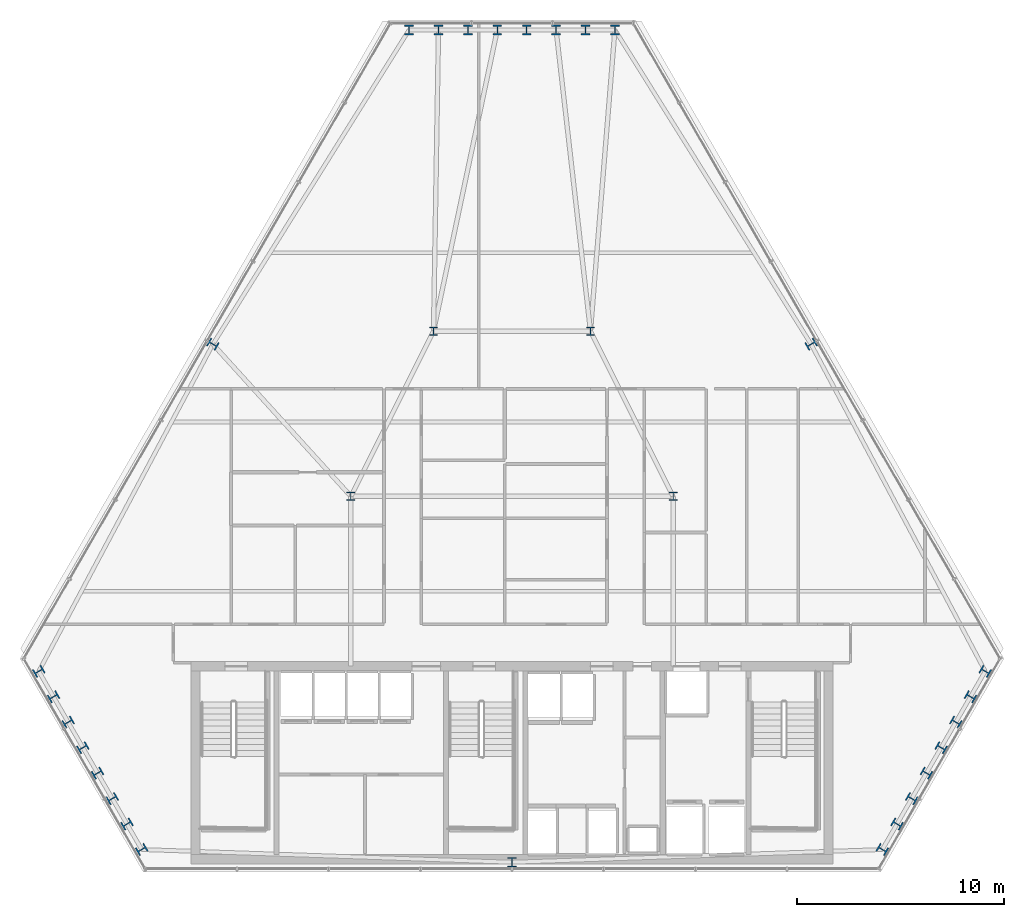
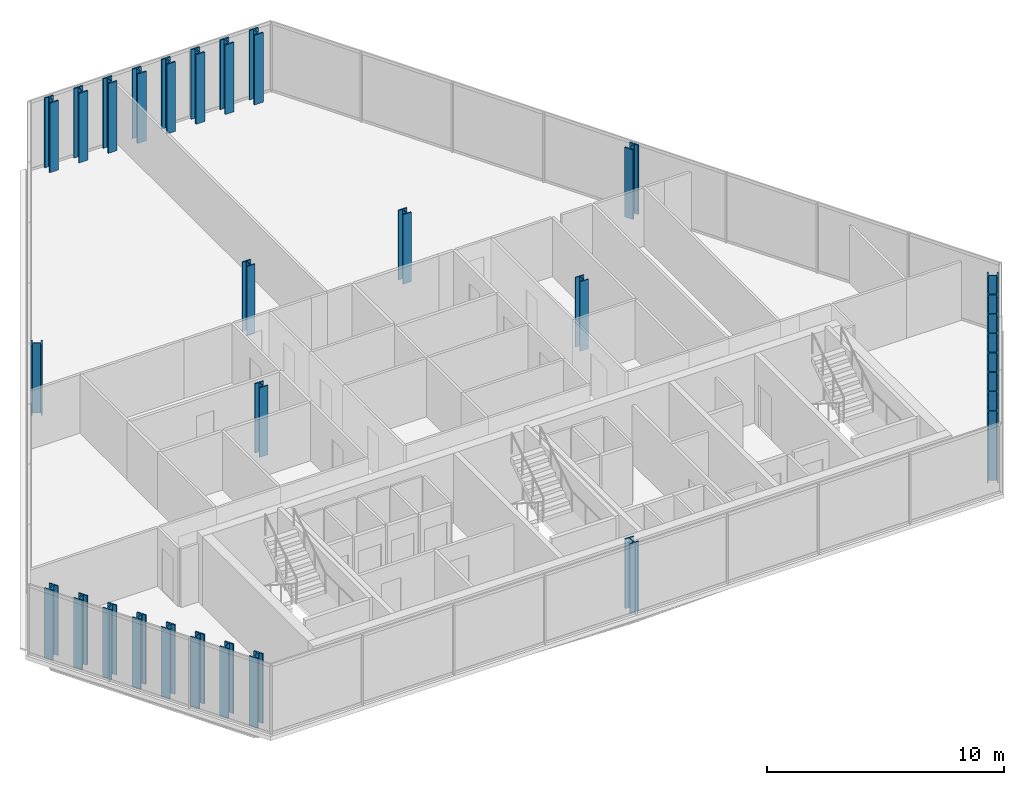
# One storey, part 1 of 31: 31 columns.
"""IFC4 building model written with IfcOpenShell, lengths in metres."""

from ifc_helpers import new_model, si_unit, direction, frame, origin, origin_2d, place, context, subcontext, project, spatial, i_section, extrude, material, material_profile, profile_set, type_object, element, save


model = new_model("IFC4")

# Units and contexts
model_context = context("Model", 3, precision=1e-05, world=origin(), true_north=direction((0.0, 1.0)))
body_context = subcontext(model_context, "Body", "Model", "MODEL_VIEW")
ifc_project = project(units=[si_unit("LENGTHUNIT", "METRE"), si_unit("AREAUNIT", "SQUARE_METRE"), si_unit("VOLUMEUNIT", "CUBIC_METRE"), si_unit("PLANEANGLEUNIT", "RADIAN"), si_unit("MASSUNIT", "GRAM", prefix="KILO")], contexts=[model_context])

# Site, building, storey
site_placement = place(None, origin())
site = spatial("IfcSite", under=ifc_project, at=site_placement, CompositionType="ELEMENT")
building_placement = place(site_placement, origin())
building = spatial("IfcBuilding", under=site, at=building_placement, Name="Ndaravel Arena Tower", CompositionType="ELEMENT")
storey_placement = place(building_placement, frame((0.0, 0.0, 138.39990234375)))
storey = spatial("IfcBuildingStorey", under=building, at=storey_placement, Name="L32", CompositionType="ELEMENT", Elevation=138.39990234375)

# Columns
ifc_material_1 = material(Name="Steel S355", Category="steel")
ifc_material_profile_1 = material_profile(ifc_material_1, i_section(OverallWidth=0.406982421875, OverallDepth=0.4189453125, WebThickness=0.030517578125, FlangeThickness=0.04931640625, FilletRadius=0.01513671875, at=origin_2d()), Name="UC 356x406x393")
ifc_profile_set_1 = profile_set([ifc_material_profile_1], Name="Steel S355")
column_type_1 = type_object("IfcColumnType", Name="COL-INT-UC393", PredefinedType="COLUMN", material=ifc_profile_set_1)
for number, where, z_axis, x_axis, name in (
    (1, (34.199951171875, 23.199951171875, 0.0), (0.0, 0.0, 1.0), (1.0, 0.0, 0.0), "L32 Interior Spine Column IC-01"),
    (2, (49.800048828125, 23.199951171875, 0.0), (0.0, 0.0, 1.0), (1.0, 0.0, 0.0), "L32 Interior Spine Column IC-02"),
    (3, (38.199951171875, 31.199951171875, 0.0), (0.0, 0.0, 1.0), (1.0, 0.0, 0.0), "L32 Interior Spine Column IC-03"),
    (4, (45.800048828125, 31.199951171875, 0.0), (0.0, 0.0, 1.0), (1.0, 0.0, 0.0), "L32 Interior Spine Column IC-04"),
):
    element("IfcColumn", number, at=place(storey_placement, frame(where, z_axis=z_axis, x_axis=x_axis)), inside=storey, type_object=column_type_1, Name=name, PredefinedType="COLUMN", context=body_context, shape_type="SweptSolid", body=[
        extrude(i_section(OverallWidth=0.406982421875, OverallDepth=0.4189453125, WebThickness=0.030517578125, FlangeThickness=0.04931640625, FilletRadius=0.01513671875, at=origin_2d()), origin(), (0.0, 0.0, 1.0), 3.580078125),
    ])
ifc_material_2 = material(Name="Steel S355", Category="steel")
ifc_material_profile_2 = material_profile(ifc_material_2, i_section(OverallWidth=0.427978515625, OverallDepth=0.48095703125, WebThickness=0.051025390625, FlangeThickness=0.06494140625, FilletRadius=0.014892578125, at=origin_2d()), Name="HD 400x677")
ifc_profile_set_2 = profile_set([ifc_material_profile_2], Name="Steel S355")
column_type_2 = type_object("IfcColumnType", Name="COL-TUBE-HD677", PredefinedType="COLUMN", material=ifc_profile_set_2)
for number, where, z_axis, x_axis, name in (
    (5, (42.0, 5.47998046875, 0.0), (0.0, 0.0, 1.0), (1.0, 0.0, 0.0), "L32 Framed Tube Column TC-01"),
    (6, (59.931396484375, 6.096435546875, 0.0), (0.0, 0.0, 1.0), (0.5, 0.866025403784, 0.0), "L32 Framed Tube Column TC-02"),
    (7, (60.643310546875, 7.329345703125, 0.0), (0.0, 0.0, 1.0), (0.5, 0.866025403784, 0.0), "L32 Framed Tube Column TC-03"),
    (8, (61.35498046875, 8.562255859375, 0.0), (0.0, 0.0, 1.0), (0.5, 0.866025403784, 0.0), "L32 Framed Tube Column TC-04"),
    (9, (62.06689453125, 9.795166015625, 0.0), (0.0, 0.0, 1.0), (0.5, 0.866025403784, 0.0), "L32 Framed Tube Column TC-05"),
    (10, (62.77880859375, 11.028076171875, 0.0), (0.0, 0.0, 1.0), (0.5, 0.866025403784, 0.0), "L32 Framed Tube Column TC-06"),
    (11, (63.490478515625, 12.260986328125, 0.0), (0.0, 0.0, 1.0), (0.5, 0.866025403784, 0.0), "L32 Framed Tube Column TC-07"),
    (12, (64.202392578125, 13.493896484375, 0.0), (0.0, 0.0, 1.0), (0.5, 0.866025403784, 0.0), "L32 Framed Tube Column TC-08"),
    (13, (64.9140625, 14.726806640625, 0.0), (0.0, 0.0, 1.0), (0.5, 0.866025403784, 0.0), "L32 Framed Tube Column TC-09"),
    (14, (56.482421875, 30.564208984375, 0.0), (0.0, 0.0, 1.0), (-0.5, 0.866025403784, 0.0), "L32 Framed Tube Column TC-10"),
    (15, (46.98291015625, 45.784912109375, 0.0), (0.0, 0.0, 1.0), (1.0, 0.0, 0.0), "L32 Framed Tube Column TC-11"),
    (16, (45.55908203125, 45.784912109375, 0.0), (0.0, 0.0, 1.0), (1.0, 0.0, 0.0), "L32 Framed Tube Column TC-12"),
    (17, (44.135498046875, 45.784912109375, 0.0), (0.0, 0.0, 1.0), (1.0, 0.0, 0.0), "L32 Framed Tube Column TC-13"),
    (18, (42.7119140625, 45.784912109375, 0.0), (0.0, 0.0, 1.0), (1.0, 0.0, 0.0), "L32 Framed Tube Column TC-14"),
    (19, (41.2880859375, 45.784912109375, 0.0), (0.0, 0.0, 1.0), (1.0, 0.0, 0.0), "L32 Framed Tube Column TC-15"),
    (20, (39.864501953125, 45.784912109375, 0.0), (0.0, 0.0, 1.0), (1.0, 0.0, 0.0), "L32 Framed Tube Column TC-16"),
    (21, (38.44091796875, 45.784912109375, 0.0), (0.0, 0.0, 1.0), (1.0, 0.0, 0.0), "L32 Framed Tube Column TC-17"),
    (22, (37.01708984375, 45.784912109375, 0.0), (0.0, 0.0, 1.0), (1.0, 0.0, 0.0), "L32 Framed Tube Column TC-18"),
    (23, (27.517578125, 30.564208984375, 0.0), (0.0, 0.0, 1.0), (0.5, 0.866025403784, 0.0), "L32 Framed Tube Column TC-19"),
    (24, (19.0859375, 14.726806640625, 0.0), (0.0, 0.0, 1.0), (-0.5, 0.866025403784, 0.0), "L32 Framed Tube Column TC-20"),
    (25, (19.797607421875, 13.493896484375, 0.0), (0.0, 0.0, 1.0), (-0.5, 0.866025403784, 0.0), "L32 Framed Tube Column TC-21"),
    (26, (20.509521484375, 12.260986328125, 0.0), (0.0, 0.0, 1.0), (-0.5, 0.866025403784, 0.0), "L32 Framed Tube Column TC-22"),
    (27, (21.22119140625, 11.028076171875, 0.0), (0.0, 0.0, 1.0), (-0.5, 0.866025403784, 0.0), "L32 Framed Tube Column TC-23"),
    (28, (21.93310546875, 9.795166015625, 0.0), (0.0, 0.0, 1.0), (-0.5, 0.866025403784, 0.0), "L32 Framed Tube Column TC-24"),
    (29, (22.64501953125, 8.562255859375, 0.0), (0.0, 0.0, 1.0), (-0.5, 0.866025403784, 0.0), "L32 Framed Tube Column TC-25"),
    (30, (23.356689453125, 7.329345703125, 0.0), (0.0, 0.0, 1.0), (-0.5, 0.866025403784, 0.0), "L32 Framed Tube Column TC-26"),
    (31, (24.068603515625, 6.096435546875, 0.0), (0.0, 0.0, 1.0), (-0.5, 0.866025403784, 0.0), "L32 Framed Tube Column TC-27"),
):
    element("IfcColumn", number, at=place(storey_placement, frame(where, z_axis=z_axis, x_axis=x_axis)), inside=storey, type_object=column_type_2, Name=name, PredefinedType="COLUMN", context=body_context, shape_type="SweptSolid", body=[
        extrude(i_section(OverallWidth=0.427978515625, OverallDepth=0.48095703125, WebThickness=0.051025390625, FlangeThickness=0.06494140625, FilletRadius=0.014892578125, at=origin_2d()), origin(), (0.0, 0.0, 1.0), 3.580078125),
    ])

save(model, "model.ifc")
